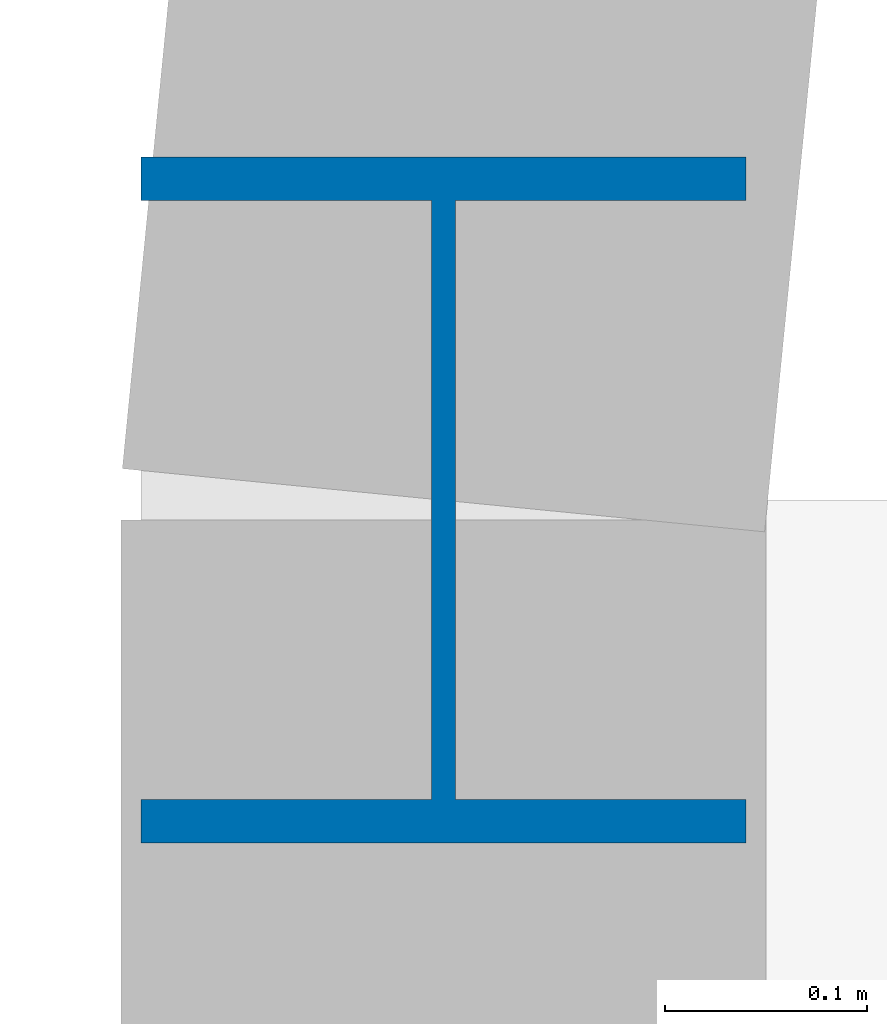
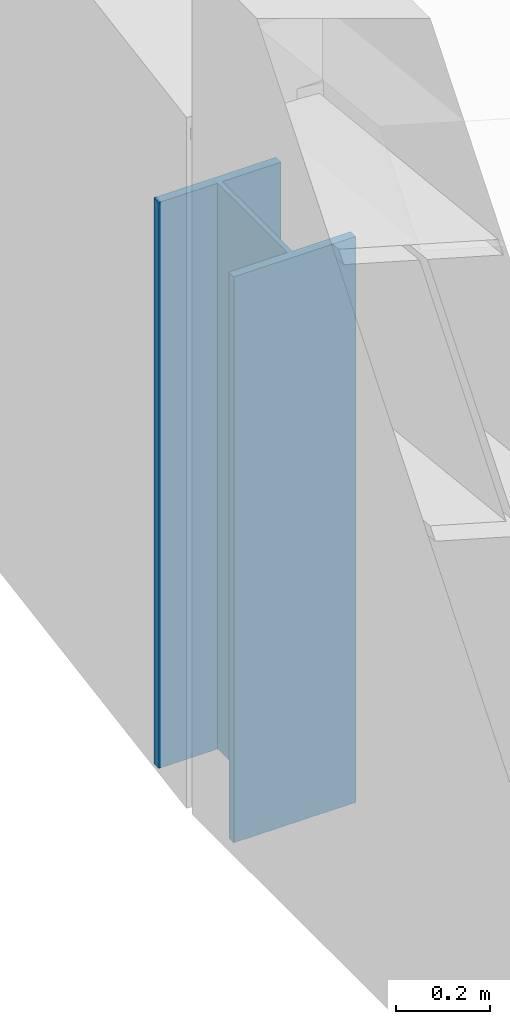
# One storey, part 2 of 103: 1 column.
"""IFC4 building model written with IfcOpenShell, lengths in metres."""

from ifc_helpers import new_model, si_unit, direction, frame, origin, origin_2d, place, context, subcontext, project, spatial, i_section, extrude, material, material_profile, profile_set, type_object, element, save


model = new_model("IFC4")

# Units and contexts
model_context = context("Model", 3, precision=1e-05, world=origin(), true_north=direction((0.0, 1.0)))
body_context = subcontext(model_context, "Body", "Model", "MODEL_VIEW")
ifc_project = project(units=[si_unit("LENGTHUNIT", "METRE"), si_unit("AREAUNIT", "SQUARE_METRE"), si_unit("VOLUMEUNIT", "CUBIC_METRE"), si_unit("PLANEANGLEUNIT", "RADIAN"), si_unit("MASSUNIT", "GRAM", prefix="KILO")], contexts=[model_context])

# Site, building, storey
site_placement = place(None, origin())
site = spatial("IfcSite", under=ifc_project, at=site_placement, CompositionType="ELEMENT")
building_placement = place(site_placement, origin())
building = spatial("IfcBuilding", under=site, at=building_placement, Name="Thalmaran Polytechnic", CompositionType="ELEMENT")
storey_placement = place(building_placement, frame((0.0, 0.0, 14.39990234375)))
storey = spatial("IfcBuildingStorey", under=building, at=storey_placement, Name="L03", CompositionType="ELEMENT", Elevation=14.39990234375)

# Column
ifc_material = material(Name="Steel S355", Category="steel")
ifc_material_profile = material_profile(ifc_material, i_section(OverallWidth=0.300048828125, OverallDepth=0.340087890625, WebThickness=0.011962890625, FlangeThickness=0.021484375, at=origin_2d()), Name="HEB 340")
ifc_profile_set = profile_set([ifc_material_profile], Name="Steel S355")
column_type = type_object("IfcColumnType", Name="COL-SC1", PredefinedType="COLUMN", material=ifc_profile_set)
column_placement = place(storey_placement, frame((57.60009765625, 28.800048828125, 0.0), z_axis=(0.0, 0.0, 1.0), x_axis=(1.0, 0.0, 0.0)))
element("IfcColumn", 1, at=column_placement, inside=storey, type_object=column_type, Name="Lecture Roof North Post G08", PredefinedType="COLUMN", context=body_context, shape_type="SweptSolid", body=[
    extrude(i_section(OverallWidth=0.300048828125, OverallDepth=0.340087890625, WebThickness=0.011962890625, FlangeThickness=0.021484375, at=origin_2d()), origin(), (0.0, 0.0, 1.0), 1.47021484375),
])

save(model, "model.ifc")
